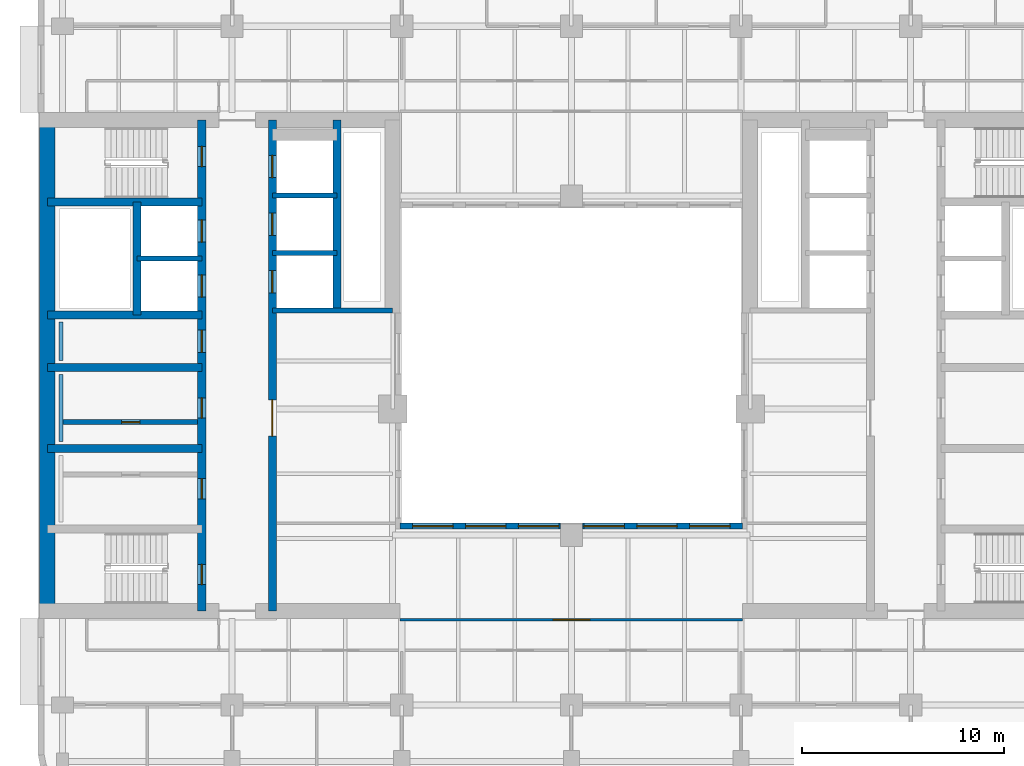
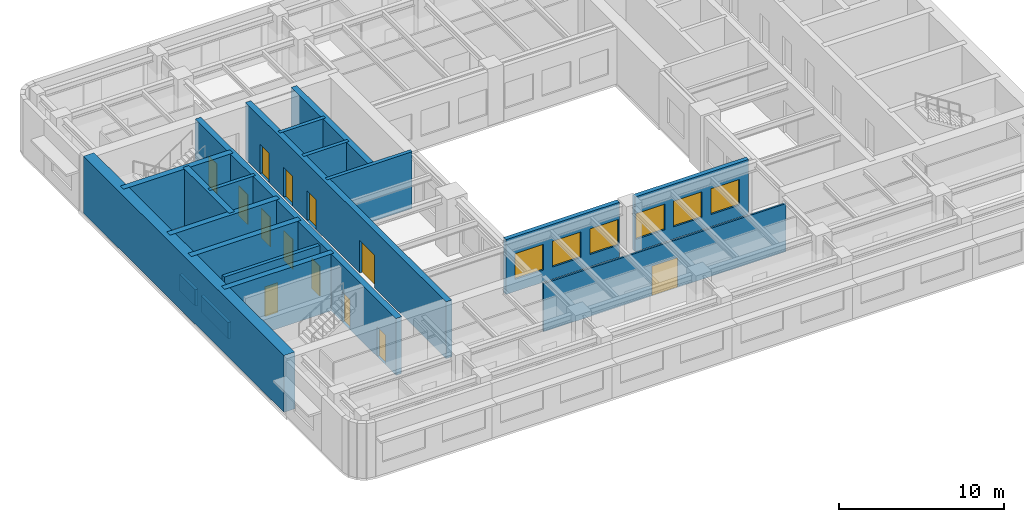
# One storey, part 4 of 11: 19 walls, 13 doors, 6 windows, 19 openings.
"""IFC4 building model written with IfcOpenShell, lengths in metres."""

import ifcopenshell
import ifcopenshell.guid

model = None  # the IFC model being written
_history = None  # IfcOwnerHistory: only IFC2X3 demands one
_inside = {}  # id of a spatial element -> (the spatial element, [elements in it])
_under = {}  # id of a project, library or spatial element -> (it, [spatial elements below it])
_declared = {}  # id of a project -> (the project, [libraries it declares])
_typed = {}  # id of a type object -> (the type object, [elements of that type])
_made_of = {}  # id of a material, layer set ... -> (it, [elements and type objects made of it])


def new_model(schema):
    """Start an empty IFC model of exactly this schema.

    Asked for "IFC4X3", IfcOpenShell would pick the latest addendum, in which some entities
    have other attributes; the version numbers below select the first issue.
    IFC2X3 requires an IfcOwnerHistory on every rooted entity: one is made here for all.
    """
    global model, _history
    if schema == "IFC4X3":
        model = ifcopenshell.file(schema_version=(4, 3, 0, 0))
    else:
        model = ifcopenshell.file(schema=schema)
    _inside.clear()
    _under.clear()
    _declared.clear()
    _typed.clear()
    _made_of.clear()
    _history = None
    if model.schema == "IFC2X3":
        org = make("IfcOrganization", Name="unknown")
        user = make(
            "IfcPersonAndOrganization",
            ThePerson=make("IfcPerson", FamilyName="unknown"),
            TheOrganization=org,
        )
        app = make(
            "IfcApplication",
            ApplicationDeveloper=org,
            Version="unknown",
            ApplicationFullName="unknown",
            ApplicationIdentifier="unknown",
        )
        _history = make(
            "IfcOwnerHistory",
            OwningUser=user,
            OwningApplication=app,
            ChangeAction="ADDED",
            CreationDate=0,
        )
    return model


def make(cls, **values):
    """One entity of the class cls with the attributes given. An attribute that is None is left unset."""
    return model.create_entity(
        cls, **{name: value for name, value in values.items() if value is not None}
    )


def rooted(cls, **values):
    """An entity with a GlobalId (a new one), such as an element, a storey or a relation."""
    return make(cls, GlobalId=ifcopenshell.guid.new(), OwnerHistory=_history, **values)


def si_unit(unit_type, name, prefix=None):
    """IfcSIUnit, for example si_unit("LENGTHUNIT", "METRE", prefix="MILLI")."""
    return make("IfcSIUnit", UnitType=unit_type, Prefix=prefix, Name=name)


def assignment(units):
    """IfcUnitAssignment: the units of a project."""
    return None if units is None else make("IfcUnitAssignment", Units=units)


def point(xyz):
    """IfcCartesianPoint."""
    return None if xyz is None else make("IfcCartesianPoint", Coordinates=xyz)


def direction(xyz):
    """IfcDirection."""
    return None if xyz is None else make("IfcDirection", DirectionRatios=xyz)


def frame(location, z_axis=None, x_axis=None):
    """IfcAxis2Placement3D, a coordinate frame: its origin and axes. An axis left out is left unset."""
    return make(
        "IfcAxis2Placement3D",
        Location=point(location),
        Axis=direction(z_axis),
        RefDirection=direction(x_axis),
    )


def frame_2d(location, x_axis=None):
    """IfcAxis2Placement2D, a coordinate frame in the plane: its origin and x axis."""
    return make(
        "IfcAxis2Placement2D", Location=point(location), RefDirection=direction(x_axis)
    )


def origin():
    """The frame at (0, 0, 0) with its axes left unset."""
    return frame((0.0, 0.0, 0.0))


def place(relative_to, where):
    """IfcLocalPlacement: puts the frame where relative to a parent placement (None: the world)."""
    return make(
        "IfcLocalPlacement", PlacementRelTo=relative_to, RelativePlacement=where
    )


def context(
    kind, dimensions, precision=None, world=None, true_north=None, identifier=None
):
    """IfcGeometricRepresentationContext, for example the 3D "Model" context."""
    return make(
        "IfcGeometricRepresentationContext",
        ContextIdentifier=identifier,
        ContextType=kind,
        CoordinateSpaceDimension=dimensions,
        Precision=precision,
        WorldCoordinateSystem=world,
        TrueNorth=true_north,
    )


def subcontext(parent, identifier, kind, view, scale=None):
    """IfcGeometricRepresentationSubContext, for example "Body" below "Model"."""
    return make(
        "IfcGeometricRepresentationSubContext",
        ContextIdentifier=identifier,
        ContextType=kind,
        ParentContext=parent,
        TargetScale=scale,
        TargetView=view,
    )


def project(units=None, contexts=None):
    """IfcProject with its units and contexts."""
    return rooted(
        "IfcProject",
        Name="project",
        RepresentationContexts=contexts,
        UnitsInContext=assignment(units),
    )


def spatial(cls, under=None, at=None, **own):
    """A site, building, storey or space (cls), placed at a placement, below another one or the project."""
    s = rooted(cls, ObjectPlacement=at, **own)
    if under is not None:
        _under.setdefault(under.id(), (under, []))[1].append(s)
    return s


def profile(cls, at=None, kind="AREA", **sizes):
    """A parametric profile (cls). Its sizes go by their IFC names, for example OverallWidth=200.0."""
    return make(cls, ProfileType=kind, Position=at, **sizes)


def rectangle(**sizes):
    """IfcRectangleProfileDef."""
    return profile("IfcRectangleProfileDef", **sizes)


def extrude(swept, where, along, depth):
    """IfcExtrudedAreaSolid: the profile swept, set in the frame where, extruded along a direction by depth."""
    return make(
        "IfcExtrudedAreaSolid",
        SweptArea=swept,
        Position=where,
        ExtrudedDirection=direction(along),
        Depth=depth,
    )


def shape(context_of_items, identifier, shape_type, items):
    """IfcShapeRepresentation: the items that make up one representation, for example the "Body"."""
    return make(
        "IfcShapeRepresentation",
        ContextOfItems=context_of_items,
        RepresentationIdentifier=identifier,
        RepresentationType=shape_type,
        Items=items,
    )


def material(Name=None, Category=None):
    """IfcMaterial."""
    return make("IfcMaterial", Name=Name, Category=Category)


def layer(
    of_material, thickness, ventilated=None, Name=None, Category=None, Priority=None
):
    """IfcMaterialLayer: one layer of a wall or slab, of a material (None: an air gap)."""
    return make(
        "IfcMaterialLayer",
        Material=of_material,
        LayerThickness=thickness,
        IsVentilated=ventilated,
        Name=Name,
        Category=Category,
        Priority=Priority,
    )


def layer_set(layers, Name=None):
    """IfcMaterialLayerSet."""
    return make("IfcMaterialLayerSet", MaterialLayers=layers, LayerSetName=Name)


def made_of(thing, what):
    """Note that an element or type object is made of a material, layer set ...; save() writes the relation."""
    if what is not None:
        _made_of.setdefault(what.id(), (what, []))[1].append(thing)
    return thing


def type_object(cls, material=None, **own):
    """A type object (cls), such as IfcWallType, which elements share."""
    return made_of(rooted(cls, **own), material)


def element(
    cls,
    number,
    at=None,
    inside=None,
    cuts=None,
    type_object=None,
    material=None,
    context=None,
    identifier="Body",
    shape_type=None,
    held_by="IfcProductDefinitionShape",
    body=None,
    shapes=None,
    **own,
):
    """One element of the class cls, such as IfcWall. Its Tag is "e" and its number.

    at: its placement. inside: the storey or other place that contains it. cuts: it is an
    opening in that element (IfcRelVoidsElement). A single representation is given by context,
    identifier, shape_type and body (its items); several are given by shapes. held_by: the class
    of the entity that holds the representations. save() writes the other relations.
    """
    e = rooted(cls, Tag="e%d" % number, ObjectPlacement=at, **own)
    if body is not None:
        shapes = [shape(context, identifier, shape_type, body)]
    if shapes is not None:
        e.Representation = make(held_by, Representations=shapes)
    if inside is not None:
        _inside.setdefault(inside.id(), (inside, []))[1].append(e)
    if cuts is not None:
        rooted(
            "IfcRelVoidsElement", RelatingBuildingElement=cuts, RelatedOpeningElement=e
        )
    if type_object is not None:
        _typed.setdefault(type_object.id(), (type_object, []))[1].append(e)
    return made_of(e, material)


def fill(opening, filler):
    """IfcRelFillsElement: the door or window that sits in an opening."""
    return rooted(
        "IfcRelFillsElement",
        RelatingOpeningElement=opening,
        RelatedBuildingElement=filler,
    )


def aggregate(whole, parts):
    """IfcRelAggregates: a whole, such as a stair, and the parts it consists of."""
    return rooted("IfcRelAggregates", RelatingObject=whole, RelatedObjects=parts)


def save(model, path):
    """Write the relations noted so far, then the file.

    IfcRelAggregates (storeys below a building ...), IfcRelContainedInSpatialStructure (elements
    in a storey), IfcRelDefinesByType, IfcRelAssociatesMaterial and IfcRelDeclares: one each for
    every whole, place, type object, material and project.
    """
    for whole, parts in _under.values():
        aggregate(whole, parts)
    for where, things in _inside.values():
        rooted(
            "IfcRelContainedInSpatialStructure",
            RelatedElements=things,
            RelatingStructure=where,
        )
    for kind, things in _typed.values():
        rooted("IfcRelDefinesByType", RelatedObjects=things, RelatingType=kind)
    for what, things in _made_of.values():
        rooted("IfcRelAssociatesMaterial", RelatedObjects=things, RelatingMaterial=what)
    for by, libraries in _declared.values():
        rooted("IfcRelDeclares", RelatingContext=by, RelatedDefinitions=libraries)
    model.write(path)


model = new_model("IFC4")

# Units and contexts
model_context = context("Model", 3, precision=1e-05, world=origin(), true_north=direction((0.0, 1.0)))
body_context = subcontext(model_context, "Body", "Model", "MODEL_VIEW")
ifc_project = project(units=[si_unit("LENGTHUNIT", "METRE"), si_unit("AREAUNIT", "SQUARE_METRE"), si_unit("VOLUMEUNIT", "CUBIC_METRE"), si_unit("PLANEANGLEUNIT", "RADIAN"), si_unit("MASSUNIT", "GRAM", prefix="KILO")], contexts=[model_context])

# Site, building, storey
site_placement = place(None, origin())
site = spatial("IfcSite", under=ifc_project, at=site_placement, CompositionType="ELEMENT")
building_placement = place(site_placement, origin())
building = spatial("IfcBuilding", under=site, at=building_placement, Name="Claustro Exchange Tower", CompositionType="ELEMENT")
storey_placement = place(building_placement, frame((0.0, 0.0, 207.0)))
storey = spatial("IfcBuildingStorey", under=building, at=storey_placement, Name="L47", CompositionType="ELEMENT", Elevation=207.0)

# Wall, opening, door
ifc_material_1 = material(Name="Laminated glass in aluminium frame", Category="aluminium")
ifc_layer_1 = layer(ifc_material_1, 0.1201171875)
ifc_layer_set_1 = layer_set([ifc_layer_1], Name="Laminated glass in aluminium frame")
wall_type_1 = type_object("IfcWallType", Name="P2 120 glazed partition", PredefinedType="PARTITIONING", material=ifc_layer_set_1)
wall_1_placement = place(storey_placement, frame((16.72509765625, 12.614990234375, 0.0), z_axis=(0.0, 0.0, 1.0), x_axis=(1.0, 0.0, 0.0)))
wall_1 = element("IfcWall", 1, at=wall_1_placement, inside=storey, type_object=wall_type_1, Name="Partition P2 L47", PredefinedType="PARTITIONING", context=body_context, shape_type="SweptSolid", body=[
    extrude(rectangle(XDim=16.949951171875, YDim=0.1201171875, at=frame_2d((8.47509765625, 0.0))), origin(), (0.0, 0.0, 1.0), 3.550048828125),
])
opening_1_placement = place(wall_1_placement, frame((7.574951171875, 0.0, 0.0)))
opening_1 = element("IfcOpeningElement", 2, at=opening_1_placement, cuts=wall_1, Name="Opening D2", PredefinedType="OPENING", context=body_context, shape_type="SweptSolid", body=[
    extrude(rectangle(XDim=1.800048828125, YDim=2.199951171875, at=frame_2d((0.89990234375, 1.10009765625))), frame((0.0, 0.070068359375, 0.0), z_axis=(0.0, -1.0, 0.0), x_axis=(1.0, 0.0, 0.0)), (0.0, 0.0, 1.0), 0.14013671875),
])
ifc_material_2 = material(Name="Timber door, oak veneer", Category="wood")
door_type_1 = type_object("IfcDoorType", Name="D2 1800 x 2200 double door", OperationType="DOUBLE_DOOR_SINGLE_SWING", PredefinedType="DOOR", material=ifc_material_2)
door_1_placement = place(opening_1_placement, origin())
door_1 = element("IfcDoor", 3, at=door_1_placement, inside=storey, type_object=door_type_1, Name="Double door D2 L47", OperationType="DOUBLE_DOOR_SINGLE_SWING", OverallHeight=2.199951171875, OverallWidth=1.800048828125, PredefinedType="DOOR", context=body_context, shape_type="SweptSolid", body=[
    extrude(rectangle(XDim=1.800048828125, YDim=2.199951171875, at=frame_2d((0.89990234375, 1.10009765625))), frame((0.0, 0.02490234375, 0.0), z_axis=(0.0, -1.0, 0.0), x_axis=(1.0, 0.0, 0.0)), (0.0, 0.0, 1.0), 0.050048828125),
])
fill(opening_1, door_1)

ifc_material_3 = material(Name="Concrete blockwork, rendered", Category="masonry")
ifc_layer_2 = layer(ifc_material_3, 0.25)
ifc_layer_set_2 = layer_set([ifc_layer_2], Name="Concrete blockwork, rendered")
wall_type_2 = type_object("IfcWallType", Name="P4 250 blockwork wall", PredefinedType="PARTITIONING", material=ifc_layer_set_2)
wall_2_placement = place(storey_placement, frame((0.02490234375, 22.39990234375, 0.0), z_axis=(0.0, 0.0, 1.0), x_axis=(1.0, 0.0, 0.0)))
wall_2 = element("IfcWall", 4, at=wall_2_placement, inside=storey, type_object=wall_type_2, Name="Partition P4 L47", PredefinedType="PARTITIONING", context=body_context, shape_type="SweptSolid", body=[
    extrude(rectangle(XDim=6.675048828125, YDim=0.25, at=frame_2d((3.33740234375, 0.0))), origin(), (0.0, 0.0, 1.0), 4.0),
])
opening_2_placement = place(wall_2_placement, frame((2.91259765625, 0.0, 0.0)))
opening_2 = element("IfcOpeningElement", 5, at=opening_2_placement, cuts=wall_2, Name="Opening D5", PredefinedType="OPENING", context=body_context, shape_type="SweptSolid", body=[
    extrude(rectangle(XDim=0.89990234375, YDim=2.199951171875, at=frame_2d((0.449951171875, 1.10009765625))), frame((0.0, 0.135009765625, 0.0), z_axis=(0.0, -1.0, 0.0), x_axis=(1.0, 0.0, 0.0)), (0.0, 0.0, 1.0), 0.27001953125),
])
ifc_material_4 = material(Name="Steel door, painted", Category="steel")
door_type_2 = type_object("IfcDoorType", Name="D5 900 x 2200 store door", OperationType="SINGLE_SWING_LEFT", PredefinedType="DOOR", material=ifc_material_4)
door_2_placement = place(opening_2_placement, frame((0.89990234375, 0.0, 0.0), z_axis=(0.0, 0.0, 1.0), x_axis=(-1.0, 0.0, 0.0)))
door_2 = element("IfcDoor", 6, at=door_2_placement, inside=storey, type_object=door_type_2, Name="Store door D5 L47", OperationType="SINGLE_SWING_LEFT", OverallHeight=2.199951171875, OverallWidth=0.89990234375, PredefinedType="DOOR", context=body_context, shape_type="SweptSolid", body=[
    extrude(rectangle(XDim=0.89990234375, YDim=2.199951171875, at=frame_2d((0.449951171875, 1.10009765625))), frame((0.0, 0.02490234375, 0.0), z_axis=(0.0, -1.0, 0.0), x_axis=(1.0, 0.0, 0.0)), (0.0, 0.0, 1.0), 0.050048828125),
])
fill(opening_2, door_2)

# Wall, openings, windows
ifc_material_5 = material(Name="Concrete HA-40 (C40/50), precast, white cement, acid-etched", Category="concrete")
ifc_layer_3 = layer(ifc_material_5, 0.300048828125)
ifc_layer_set_3 = layer_set([ifc_layer_3], Name="Concrete HA-40 (C40/50), precast, white cement, acid-etched")
wall_type_3 = type_object("IfcWallType", Name="PC1 300 precast concrete pier panel", PredefinedType="SOLIDWALL", material=ifc_layer_set_3)
wall_3_placement = place(storey_placement, frame((16.72509765625, 17.25, 0.0), z_axis=(0.0, 0.0, 1.0), x_axis=(1.0, 0.0, 0.0)))
wall_3 = element("IfcWall", 7, at=wall_3_placement, inside=storey, type_object=wall_type_3, Name="Precast pier panel PC1 L47", PredefinedType="SOLIDWALL", context=body_context, shape_type="SweptSolid", body=[
    extrude(rectangle(XDim=7.9248046875, YDim=0.300048828125, at=frame_2d((3.96240234375, 0.0))), origin(), (0.0, 0.0, 1.0), 4.050048828125),
])
opening_3_placement = place(wall_3_placement, frame((0.61865234375, 0.0, 0.89990234375)))
opening_3 = element("IfcOpeningElement", 8, at=opening_3_placement, cuts=wall_3, Name="Opening W4", PredefinedType="OPENING", context=body_context, shape_type="SweptSolid", body=[
    extrude(rectangle(XDim=2.0, YDim=1.89990234375, at=frame_2d((1.0, 0.949951171875))), frame((0.0, 0.159912109375, 0.0), z_axis=(0.0, -1.0, 0.0), x_axis=(1.0, 0.0, 0.0)), (0.0, 0.0, 1.0), 0.320068359375),
])
opening_4_placement = place(wall_3_placement, frame((3.237548828125, 0.0, 0.89990234375)))
opening_4 = element("IfcOpeningElement", 9, at=opening_4_placement, cuts=wall_3, Name="Opening W4", PredefinedType="OPENING", context=body_context, shape_type="SweptSolid", body=[
    extrude(rectangle(XDim=2.0, YDim=1.89990234375, at=frame_2d((1.0, 0.949951171875))), frame((0.0, 0.159912109375, 0.0), z_axis=(0.0, -1.0, 0.0), x_axis=(1.0, 0.0, 0.0)), (0.0, 0.0, 1.0), 0.320068359375),
])
opening_5_placement = place(wall_3_placement, frame((5.856201171875, 0.0, 0.89990234375)))
opening_5 = element("IfcOpeningElement", 10, at=opening_5_placement, cuts=wall_3, Name="Opening W4", PredefinedType="OPENING", context=body_context, shape_type="SweptSolid", body=[
    extrude(rectangle(XDim=2.0, YDim=1.89990234375, at=frame_2d((1.0, 0.949951171875))), frame((0.0, 0.159912109375, 0.0), z_axis=(0.0, -1.0, 0.0), x_axis=(1.0, 0.0, 0.0)), (0.0, 0.0, 1.0), 0.320068359375),
])
ifc_material_6 = material(Name="Aluminium frame, clear double glazing", Category="aluminium")
window_type = type_object("IfcWindowType", Name="W4 2000 x 1900 light well window", PartitioningType="SINGLE_PANEL", PredefinedType="WINDOW", material=ifc_material_6)
window_1_placement = place(opening_3_placement, origin())
window_1 = element("IfcWindow", 11, at=window_1_placement, inside=storey, type_object=window_type, Name="Window W4 L47", OverallHeight=1.89990234375, OverallWidth=2.0, PartitioningType="SINGLE_PANEL", PredefinedType="WINDOW", context=body_context, shape_type="SweptSolid", body=[
    extrude(rectangle(XDim=2.0, YDim=1.89990234375, at=frame_2d((1.0, 0.949951171875))), frame((0.0, 0.030029296875, 0.0), z_axis=(0.0, -1.0, 0.0), x_axis=(1.0, 0.0, 0.0)), (0.0, 0.0, 1.0), 0.06005859375),
])
fill(opening_3, window_1)
window_2_placement = place(opening_4_placement, origin())
window_2 = element("IfcWindow", 12, at=window_2_placement, inside=storey, type_object=window_type, Name="Window W4 L47", OverallHeight=1.89990234375, OverallWidth=2.0, PartitioningType="SINGLE_PANEL", PredefinedType="WINDOW", context=body_context, shape_type="SweptSolid", body=[
    extrude(rectangle(XDim=2.0, YDim=1.89990234375, at=frame_2d((1.0, 0.949951171875))), frame((0.0, 0.030029296875, 0.0), z_axis=(0.0, -1.0, 0.0), x_axis=(1.0, 0.0, 0.0)), (0.0, 0.0, 1.0), 0.06005859375),
])
fill(opening_4, window_2)
window_3_placement = place(opening_5_placement, origin())
window_3 = element("IfcWindow", 13, at=window_3_placement, inside=storey, type_object=window_type, Name="Window W4 L47", OverallHeight=1.89990234375, OverallWidth=2.0, PartitioningType="SINGLE_PANEL", PredefinedType="WINDOW", context=body_context, shape_type="SweptSolid", body=[
    extrude(rectangle(XDim=2.0, YDim=1.89990234375, at=frame_2d((1.0, 0.949951171875))), frame((0.0, 0.030029296875, 0.0), z_axis=(0.0, -1.0, 0.0), x_axis=(1.0, 0.0, 0.0)), (0.0, 0.0, 1.0), 0.06005859375),
])
fill(opening_5, window_3)

wall_4_placement = place(storey_placement, frame((25.75, 17.25, 0.0), z_axis=(0.0, 0.0, 1.0), x_axis=(1.0, 0.0, 0.0)))
wall_4 = element("IfcWall", 14, at=wall_4_placement, inside=storey, type_object=wall_type_3, Name="Precast pier panel PC1 L47", PredefinedType="SOLIDWALL", context=body_context, shape_type="SweptSolid", body=[
    extrude(rectangle(XDim=7.925048828125, YDim=0.300048828125, at=frame_2d((3.96240234375, 0.0))), origin(), (0.0, 0.0, 1.0), 4.050048828125),
])
opening_6_placement = place(wall_4_placement, frame((0.068603515625, 0.0, 0.89990234375)))
opening_6 = element("IfcOpeningElement", 15, at=opening_6_placement, cuts=wall_4, Name="Opening W4", PredefinedType="OPENING", context=body_context, shape_type="SweptSolid", body=[
    extrude(rectangle(XDim=2.0, YDim=1.89990234375, at=frame_2d((1.0, 0.949951171875))), frame((0.0, 0.159912109375, 0.0), z_axis=(0.0, -1.0, 0.0), x_axis=(1.0, 0.0, 0.0)), (0.0, 0.0, 1.0), 0.320068359375),
])
opening_7_placement = place(wall_4_placement, frame((2.6875, 0.0, 0.89990234375)))
opening_7 = element("IfcOpeningElement", 16, at=opening_7_placement, cuts=wall_4, Name="Opening W4", PredefinedType="OPENING", context=body_context, shape_type="SweptSolid", body=[
    extrude(rectangle(XDim=2.0, YDim=1.89990234375, at=frame_2d((1.0, 0.949951171875))), frame((0.0, 0.159912109375, 0.0), z_axis=(0.0, -1.0, 0.0), x_axis=(1.0, 0.0, 0.0)), (0.0, 0.0, 1.0), 0.320068359375),
])
opening_8_placement = place(wall_4_placement, frame((5.30615234375, 0.0, 0.89990234375)))
opening_8 = element("IfcOpeningElement", 17, at=opening_8_placement, cuts=wall_4, Name="Opening W4", PredefinedType="OPENING", context=body_context, shape_type="SweptSolid", body=[
    extrude(rectangle(XDim=2.0, YDim=1.89990234375, at=frame_2d((1.0, 0.949951171875))), frame((0.0, 0.159912109375, 0.0), z_axis=(0.0, -1.0, 0.0), x_axis=(1.0, 0.0, 0.0)), (0.0, 0.0, 1.0), 0.320068359375),
])
window_4_placement = place(opening_6_placement, origin())
window_4 = element("IfcWindow", 18, at=window_4_placement, inside=storey, type_object=window_type, Name="Window W4 L47", OverallHeight=1.89990234375, OverallWidth=2.0, PartitioningType="SINGLE_PANEL", PredefinedType="WINDOW", context=body_context, shape_type="SweptSolid", body=[
    extrude(rectangle(XDim=2.0, YDim=1.89990234375, at=frame_2d((1.0, 0.949951171875))), frame((0.0, 0.030029296875, 0.0), z_axis=(0.0, -1.0, 0.0), x_axis=(1.0, 0.0, 0.0)), (0.0, 0.0, 1.0), 0.06005859375),
])
fill(opening_6, window_4)
window_5_placement = place(opening_7_placement, origin())
window_5 = element("IfcWindow", 19, at=window_5_placement, inside=storey, type_object=window_type, Name="Window W4 L47", OverallHeight=1.89990234375, OverallWidth=2.0, PartitioningType="SINGLE_PANEL", PredefinedType="WINDOW", context=body_context, shape_type="SweptSolid", body=[
    extrude(rectangle(XDim=2.0, YDim=1.89990234375, at=frame_2d((1.0, 0.949951171875))), frame((0.0, 0.030029296875, 0.0), z_axis=(0.0, -1.0, 0.0), x_axis=(1.0, 0.0, 0.0)), (0.0, 0.0, 1.0), 0.06005859375),
])
fill(opening_7, window_5)
window_6_placement = place(opening_8_placement, origin())
window_6 = element("IfcWindow", 20, at=window_6_placement, inside=storey, type_object=window_type, Name="Window W4 L47", OverallHeight=1.89990234375, OverallWidth=2.0, PartitioningType="SINGLE_PANEL", PredefinedType="WINDOW", context=body_context, shape_type="SweptSolid", body=[
    extrude(rectangle(XDim=2.0, YDim=1.89990234375, at=frame_2d((1.0, 0.949951171875))), frame((0.0, 0.030029296875, 0.0), z_axis=(0.0, -1.0, 0.0), x_axis=(1.0, 0.0, 0.0)), (0.0, 0.0, 1.0), 0.06005859375),
])
fill(opening_8, window_6)

# Walls
ifc_material_7 = material(Name="Gypsum board on steel studs, tiled", Category="steel")
ifc_layer_4 = layer(ifc_material_7, 0.199951171875)
ifc_layer_set_4 = layer_set([ifc_layer_4], Name="Gypsum board on steel studs, tiled")
wall_type_4 = type_object("IfcWallType", Name="PW1 200 WC duct wall", PredefinedType="PLUMBINGWALL", material=ifc_layer_set_4)
wall_5_placement = place(storey_placement, frame((-0.074951171875, 21.449951171875, 0.0), z_axis=(0.0, 0.0, 1.0), x_axis=(0.0, 1.0, 0.0)))
element("IfcWall", 21, at=wall_5_placement, inside=storey, type_object=wall_type_4, Name="WC duct wall PW1 L47", PredefinedType="PLUMBINGWALL", context=body_context, shape_type="SweptSolid", body=[
    extrude(rectangle(XDim=3.300048828125, YDim=0.199951171875, at=frame_2d((1.64990234375, 0.0))), origin(), (0.0, 0.0, 1.0), 1.199951171875),
])
wall_6_placement = place(storey_placement, frame((-0.074951171875, 25.449951171875, 0.0), z_axis=(0.0, 0.0, 1.0), x_axis=(0.0, 1.0, 0.0)))
element("IfcWall", 22, at=wall_6_placement, inside=storey, type_object=wall_type_4, Name="WC duct wall PW1 L47", PredefinedType="PLUMBINGWALL", context=body_context, shape_type="SweptSolid", body=[
    extrude(rectangle(XDim=1.900146484375, YDim=0.199951171875, at=frame_2d((0.9501953125, 0.0))), origin(), (0.0, 0.0, 1.0), 1.199951171875),
])
ifc_material_8 = material(Name="Concrete HA-70 (C70/85)", Category="concrete")
ifc_layer_5 = layer(ifc_material_8, 0.75)
ifc_layer_set_5 = layer_set([ifc_layer_5], Name="Concrete HA-70 (C70/85)")
wall_type_5 = type_object("IfcWallType", Name="SW2X 750 exposed core shear wall, board-marked face", PredefinedType="SHEAR", material=ifc_layer_set_5)
wall_7_placement = place(storey_placement, frame((-0.75, 13.050048828125, 0.0), z_axis=(0.0, 0.0, 1.0), x_axis=(0.0, 1.0, 0.0)))
element("IfcWall", 23, at=wall_7_placement, inside=storey, type_object=wall_type_5, Name="Core wall SW2X W core W face L47", PredefinedType="SHEAR", context=body_context, shape_type="SweptSolid", body=[
    extrude(rectangle(XDim=24.300048828125, YDim=0.75, at=frame_2d((12.14990234375, 0.0))), origin(), (0.0, 0.0, 1.0), 4.199951171875),
])

# Wall, openings, doors
ifc_material_9 = material(Name="Concrete HA-50 (C50/60)", Category="concrete")
ifc_layer_6 = layer(ifc_material_9, 0.39990234375)
ifc_layer_set_6 = layer_set([ifc_layer_6], Name="Concrete HA-50 (C50/60)")
wall_type_6 = type_object("IfcWallType", Name="SW4 400 internal core wall", PredefinedType="SHEAR", material=ifc_layer_set_6)
wall_8_placement = place(storey_placement, frame((6.89990234375, 13.050048828125, 0.0), z_axis=(0.0, 0.0, 1.0), x_axis=(0.0, 1.0, 0.0)))
wall_8 = element("IfcWall", 24, at=wall_8_placement, inside=storey, type_object=wall_type_6, Name="Internal core wall SW4 W core L47", PredefinedType="SHEAR", context=body_context, shape_type="SweptSolid", body=[
    extrude(rectangle(XDim=24.300048828125, YDim=0.39990234375, at=frame_2d((12.14990234375, 0.0))), origin(), (0.0, 0.0, 1.0), 4.199951171875),
])
opening_9_placement = place(wall_8_placement, frame((1.300048828125, 0.0, 0.0)))
opening_9 = element("IfcOpeningElement", 25, at=opening_9_placement, cuts=wall_8, Name="Opening D4", PredefinedType="OPENING", context=body_context, shape_type="SweptSolid", body=[
    extrude(rectangle(XDim=1.0, YDim=2.199951171875, at=frame_2d((0.5, 1.10009765625))), frame((0.0, 0.2099609375, 0.0), z_axis=(0.0, -1.0, 0.0), x_axis=(1.0, 0.0, 0.0)), (0.0, 0.0, 1.0), 0.419921875),
])
opening_10_placement = place(wall_8_placement, frame((22.0, 0.0, 0.0)))
opening_10 = element("IfcOpeningElement", 26, at=opening_10_placement, cuts=wall_8, Name="Opening D4", PredefinedType="OPENING", context=body_context, shape_type="SweptSolid", body=[
    extrude(rectangle(XDim=1.0, YDim=2.199951171875, at=frame_2d((0.5, 1.10009765625))), frame((0.0, 0.2099609375, 0.0), z_axis=(0.0, -1.0, 0.0), x_axis=(1.0, 0.0, 0.0)), (0.0, 0.0, 1.0), 0.419921875),
])
opening_11_placement = place(wall_8_placement, frame((5.550048828125, 0.0, 0.0)))
opening_11 = element("IfcOpeningElement", 27, at=opening_11_placement, cuts=wall_8, Name="Opening D1", PredefinedType="OPENING", context=body_context, shape_type="SweptSolid", body=[
    extrude(rectangle(XDim=1.0, YDim=2.199951171875, at=frame_2d((0.5, 1.10009765625))), frame((0.0, 0.2099609375, 0.0), z_axis=(0.0, -1.0, 0.0), x_axis=(1.0, 0.0, 0.0)), (0.0, 0.0, 1.0), 0.419921875),
])
opening_12_placement = place(wall_8_placement, frame((9.550048828125, 0.0, 0.0)))
opening_12 = element("IfcOpeningElement", 28, at=opening_12_placement, cuts=wall_8, Name="Opening D1", PredefinedType="OPENING", context=body_context, shape_type="SweptSolid", body=[
    extrude(rectangle(XDim=1.0, YDim=2.199951171875, at=frame_2d((0.5, 1.10009765625))), frame((0.0, 0.2099609375, 0.0), z_axis=(0.0, -1.0, 0.0), x_axis=(1.0, 0.0, 0.0)), (0.0, 0.0, 1.0), 0.419921875),
])
opening_13_placement = place(wall_8_placement, frame((12.800048828125, 0.0, 0.0)))
opening_13 = element("IfcOpeningElement", 29, at=opening_13_placement, cuts=wall_8, Name="Opening D10", PredefinedType="OPENING", context=body_context, shape_type="SweptSolid", body=[
    extrude(rectangle(XDim=1.10009765625, YDim=2.199951171875, at=frame_2d((0.550048828125, 1.10009765625))), frame((0.0, 0.2099609375, 0.0), z_axis=(0.0, -1.0, 0.0), x_axis=(1.0, 0.0, 0.0)), (0.0, 0.0, 1.0), 0.419921875),
])
opening_14_placement = place(wall_8_placement, frame((15.53759765625, 0.0, 0.0)))
opening_14 = element("IfcOpeningElement", 30, at=opening_14_placement, cuts=wall_8, Name="Opening LD", PredefinedType="OPENING", context=body_context, shape_type="SweptSolid", body=[
    extrude(rectangle(XDim=1.10009765625, YDim=2.199951171875, at=frame_2d((0.550048828125, 1.10009765625))), frame((0.0, 0.2099609375, 0.0), z_axis=(0.0, -1.0, 0.0), x_axis=(1.0, 0.0, 0.0)), (0.0, 0.0, 1.0), 0.419921875),
])
opening_15_placement = place(wall_8_placement, frame((18.262451171875, 0.0, 0.0)))
opening_15 = element("IfcOpeningElement", 31, at=opening_15_placement, cuts=wall_8, Name="Opening LD", PredefinedType="OPENING", context=body_context, shape_type="SweptSolid", body=[
    extrude(rectangle(XDim=1.10009765625, YDim=2.199951171875, at=frame_2d((0.550048828125, 1.10009765625))), frame((0.0, 0.2099609375, 0.0), z_axis=(0.0, -1.0, 0.0), x_axis=(1.0, 0.0, 0.0)), (0.0, 0.0, 1.0), 0.419921875),
])
ifc_material_10 = material(Name="Timber door, oak veneer", Category="wood")
door_type_3 = type_object("IfcDoorType", Name="D1 1000 x 2200 single door", OperationType="SINGLE_SWING_LEFT", PredefinedType="DOOR", material=ifc_material_10)
door_3_placement = place(opening_11_placement, origin())
door_3 = element("IfcDoor", 32, at=door_3_placement, inside=storey, type_object=door_type_3, Name="Door D1 L47", OperationType="SINGLE_SWING_RIGHT", OverallHeight=2.199951171875, OverallWidth=1.0, PredefinedType="DOOR", context=body_context, shape_type="SweptSolid", body=[
    extrude(rectangle(XDim=1.0, YDim=2.199951171875, at=frame_2d((0.5, 1.10009765625))), frame((0.0, 0.02490234375, 0.0), z_axis=(0.0, -1.0, 0.0), x_axis=(1.0, 0.0, 0.0)), (0.0, 0.0, 1.0), 0.050048828125),
])
fill(opening_11, door_3)
door_4_placement = place(opening_12_placement, origin())
door_4 = element("IfcDoor", 33, at=door_4_placement, inside=storey, type_object=door_type_3, Name="Door D1 L47", OperationType="SINGLE_SWING_LEFT", OverallHeight=2.199951171875, OverallWidth=1.0, PredefinedType="DOOR", context=body_context, shape_type="SweptSolid", body=[
    extrude(rectangle(XDim=1.0, YDim=2.199951171875, at=frame_2d((0.5, 1.10009765625))), frame((0.0, 0.02490234375, 0.0), z_axis=(0.0, -1.0, 0.0), x_axis=(1.0, 0.0, 0.0)), (0.0, 0.0, 1.0), 0.050048828125),
])
fill(opening_12, door_4)
ifc_material_11 = material(Name="Timber door, oak veneer", Category="wood")
door_type_4 = type_object("IfcDoorType", Name="D10 1100 x 2200 accessible WC door", OperationType="SINGLE_SWING_LEFT", PredefinedType="DOOR", material=ifc_material_11)
door_5_placement = place(opening_13_placement, frame((1.10009765625, 0.0, 0.0), z_axis=(0.0, 0.0, 1.0), x_axis=(-1.0, 0.0, 0.0)))
door_5 = element("IfcDoor", 34, at=door_5_placement, inside=storey, type_object=door_type_4, Name="Accessible WC door D10 L47", OperationType="SINGLE_SWING_LEFT", OverallHeight=2.199951171875, OverallWidth=1.10009765625, PredefinedType="DOOR", context=body_context, shape_type="SweptSolid", body=[
    extrude(rectangle(XDim=1.10009765625, YDim=2.199951171875, at=frame_2d((0.550048828125, 1.10009765625))), frame((0.0, 0.02490234375, 0.0), z_axis=(0.0, -1.0, 0.0), x_axis=(1.0, 0.0, 0.0)), (0.0, 0.0, 1.0), 0.050048828125),
])
fill(opening_13, door_5)
ifc_material_12 = material(Name="Steel fire door, painted", Category="steel")
door_type_5 = type_object("IfcDoorType", Name="D4 1000 x 2200 fire-rated stair door", OperationType="SINGLE_SWING_LEFT", PredefinedType="DOOR", material=ifc_material_12)
door_6_placement = place(opening_9_placement, origin())
door_6 = element("IfcDoor", 35, at=door_6_placement, inside=storey, type_object=door_type_5, Name="Stair door D4 L47", OperationType="SINGLE_SWING_LEFT", OverallHeight=2.199951171875, OverallWidth=1.0, PredefinedType="DOOR", context=body_context, shape_type="SweptSolid", body=[
    extrude(rectangle(XDim=1.0, YDim=2.199951171875, at=frame_2d((0.5, 1.10009765625))), frame((0.0, 0.02490234375, 0.0), z_axis=(0.0, -1.0, 0.0), x_axis=(1.0, 0.0, 0.0)), (0.0, 0.0, 1.0), 0.050048828125),
])
fill(opening_9, door_6)
door_7_placement = place(opening_10_placement, origin())
door_7 = element("IfcDoor", 36, at=door_7_placement, inside=storey, type_object=door_type_5, Name="Stair door D4 L47", OperationType="SINGLE_SWING_RIGHT", OverallHeight=2.199951171875, OverallWidth=1.0, PredefinedType="DOOR", context=body_context, shape_type="SweptSolid", body=[
    extrude(rectangle(XDim=1.0, YDim=2.199951171875, at=frame_2d((0.5, 1.10009765625))), frame((0.0, 0.02490234375, 0.0), z_axis=(0.0, -1.0, 0.0), x_axis=(1.0, 0.0, 0.0)), (0.0, 0.0, 1.0), 0.050048828125),
])
fill(opening_10, door_7)
ifc_material_13 = material(Name="Stainless steel sliding door", Category="steel")
door_type_6 = type_object("IfcDoorType", Name="LD 1100 x 2200 lift landing door", OperationType="DOUBLE_DOOR_SLIDING", PredefinedType="DOOR", material=ifc_material_13)
door_8_placement = place(opening_14_placement, origin())
door_8 = element("IfcDoor", 37, at=door_8_placement, inside=storey, type_object=door_type_6, Name="Lift landing door LEW1 LD L47", OperationType="DOUBLE_DOOR_SLIDING", OverallHeight=2.199951171875, OverallWidth=1.10009765625, PredefinedType="DOOR", context=body_context, shape_type="SweptSolid", body=[
    extrude(rectangle(XDim=1.10009765625, YDim=2.199951171875, at=frame_2d((0.550048828125, 1.10009765625))), frame((0.0, 0.02490234375, 0.0), z_axis=(0.0, -1.0, 0.0), x_axis=(1.0, 0.0, 0.0)), (0.0, 0.0, 1.0), 0.050048828125),
])
fill(opening_14, door_8)
door_9_placement = place(opening_15_placement, origin())
door_9 = element("IfcDoor", 38, at=door_9_placement, inside=storey, type_object=door_type_6, Name="Lift landing door LEW2 LD L47", OperationType="DOUBLE_DOOR_SLIDING", OverallHeight=2.199951171875, OverallWidth=1.10009765625, PredefinedType="DOOR", context=body_context, shape_type="SweptSolid", body=[
    extrude(rectangle(XDim=1.10009765625, YDim=2.199951171875, at=frame_2d((0.550048828125, 1.10009765625))), frame((0.0, 0.02490234375, 0.0), z_axis=(0.0, -1.0, 0.0), x_axis=(1.0, 0.0, 0.0)), (0.0, 0.0, 1.0), 0.050048828125),
])
fill(opening_15, door_9)

wall_9_placement = place(storey_placement, frame((10.39990234375, 13.050048828125, 0.0), z_axis=(0.0, 0.0, 1.0), x_axis=(0.0, 1.0, 0.0)))
wall_9 = element("IfcWall", 39, at=wall_9_placement, inside=storey, type_object=wall_type_6, Name="Internal core wall SW4 W core L47", PredefinedType="SHEAR", context=body_context, shape_type="SweptSolid", body=[
    extrude(rectangle(XDim=24.300048828125, YDim=0.39990234375, at=frame_2d((12.14990234375, 0.0))), origin(), (0.0, 0.0, 1.0), 4.199951171875),
])
opening_16_placement = place(wall_9_placement, frame((15.75, 0.0, 0.0)))
opening_16 = element("IfcOpeningElement", 40, at=opening_16_placement, cuts=wall_9, Name="Opening LD", PredefinedType="OPENING", context=body_context, shape_type="SweptSolid", body=[
    extrude(rectangle(XDim=1.10009765625, YDim=2.199951171875, at=frame_2d((0.550048828125, 1.10009765625))), frame((0.0, 0.2099609375, 0.0), z_axis=(0.0, -1.0, 0.0), x_axis=(1.0, 0.0, 0.0)), (0.0, 0.0, 1.0), 0.419921875),
])
opening_17_placement = place(wall_9_placement, frame((18.60009765625, 0.0, 0.0)))
opening_17 = element("IfcOpeningElement", 41, at=opening_17_placement, cuts=wall_9, Name="Opening LD", PredefinedType="OPENING", context=body_context, shape_type="SweptSolid", body=[
    extrude(rectangle(XDim=1.10009765625, YDim=2.199951171875, at=frame_2d((0.550048828125, 1.10009765625))), frame((0.0, 0.2099609375, 0.0), z_axis=(0.0, -1.0, 0.0), x_axis=(1.0, 0.0, 0.0)), (0.0, 0.0, 1.0), 0.419921875),
])
opening_18_placement = place(wall_9_placement, frame((21.449951171875, 0.0, 0.0)))
opening_18 = element("IfcOpeningElement", 42, at=opening_18_placement, cuts=wall_9, Name="Opening LD", PredefinedType="OPENING", context=body_context, shape_type="SweptSolid", body=[
    extrude(rectangle(XDim=1.10009765625, YDim=2.199951171875, at=frame_2d((0.550048828125, 1.10009765625))), frame((0.0, 0.2099609375, 0.0), z_axis=(0.0, -1.0, 0.0), x_axis=(1.0, 0.0, 0.0)), (0.0, 0.0, 1.0), 0.419921875),
])
opening_19_placement = place(wall_9_placement, frame((8.64990234375, 0.0, 0.0)))
opening_19 = element("IfcOpeningElement", 43, at=opening_19_placement, cuts=wall_9, Name="Opening D3", PredefinedType="OPENING", context=body_context, shape_type="SweptSolid", body=[
    extrude(rectangle(XDim=1.800048828125, YDim=2.39990234375, at=frame_2d((0.89990234375, 1.199951171875))), frame((0.0, 0.2099609375, 0.0), z_axis=(0.0, -1.0, 0.0), x_axis=(1.0, 0.0, 0.0)), (0.0, 0.0, 1.0), 0.419921875),
])
ifc_material_14 = material(Name="Steel fire door, painted", Category="steel")
door_type_7 = type_object("IfcDoorType", Name="D3 1800 x 2400 fire-rated lobby double door", OperationType="DOUBLE_DOOR_SINGLE_SWING", PredefinedType="DOOR", material=ifc_material_14)
door_10_placement = place(opening_19_placement, frame((1.800048828125, 0.0, 0.0), z_axis=(0.0, 0.0, 1.0), x_axis=(-1.0, 0.0, 0.0)))
door_10 = element("IfcDoor", 44, at=door_10_placement, inside=storey, type_object=door_type_7, Name="Core zone door D3 L47", OperationType="DOUBLE_DOOR_SINGLE_SWING", OverallHeight=2.39990234375, OverallWidth=1.800048828125, PredefinedType="DOOR", context=body_context, shape_type="SweptSolid", body=[
    extrude(rectangle(XDim=1.800048828125, YDim=2.39990234375, at=frame_2d((0.89990234375, 1.199951171875))), frame((0.0, 0.02490234375, 0.0), z_axis=(0.0, -1.0, 0.0), x_axis=(1.0, 0.0, 0.0)), (0.0, 0.0, 1.0), 0.050048828125),
])
fill(opening_19, door_10)
door_11_placement = place(opening_16_placement, origin())
door_11 = element("IfcDoor", 45, at=door_11_placement, inside=storey, type_object=door_type_6, Name="Lift landing door LHW1 LD L47", OperationType="DOUBLE_DOOR_SLIDING", OverallHeight=2.199951171875, OverallWidth=1.10009765625, PredefinedType="DOOR", context=body_context, shape_type="SweptSolid", body=[
    extrude(rectangle(XDim=1.10009765625, YDim=2.199951171875, at=frame_2d((0.550048828125, 1.10009765625))), frame((0.0, 0.02490234375, 0.0), z_axis=(0.0, -1.0, 0.0), x_axis=(1.0, 0.0, 0.0)), (0.0, 0.0, 1.0), 0.050048828125),
])
fill(opening_16, door_11)
door_12_placement = place(opening_17_placement, origin())
door_12 = element("IfcDoor", 46, at=door_12_placement, inside=storey, type_object=door_type_6, Name="Lift landing door LHW2 LD L47", OperationType="DOUBLE_DOOR_SLIDING", OverallHeight=2.199951171875, OverallWidth=1.10009765625, PredefinedType="DOOR", context=body_context, shape_type="SweptSolid", body=[
    extrude(rectangle(XDim=1.10009765625, YDim=2.199951171875, at=frame_2d((0.550048828125, 1.10009765625))), frame((0.0, 0.02490234375, 0.0), z_axis=(0.0, -1.0, 0.0), x_axis=(1.0, 0.0, 0.0)), (0.0, 0.0, 1.0), 0.050048828125),
])
fill(opening_17, door_12)
door_13_placement = place(opening_18_placement, origin())
door_13 = element("IfcDoor", 47, at=door_13_placement, inside=storey, type_object=door_type_6, Name="Lift landing door LSW1 LD L47", OperationType="DOUBLE_DOOR_SLIDING", OverallHeight=2.199951171875, OverallWidth=1.10009765625, PredefinedType="DOOR", context=body_context, shape_type="SweptSolid", body=[
    extrude(rectangle(XDim=1.10009765625, YDim=2.199951171875, at=frame_2d((0.550048828125, 1.10009765625))), frame((0.0, 0.02490234375, 0.0), z_axis=(0.0, -1.0, 0.0), x_axis=(1.0, 0.0, 0.0)), (0.0, 0.0, 1.0), 0.050048828125),
])
fill(opening_18, door_13)

# Walls
wall_10_placement = place(storey_placement, frame((13.60009765625, 27.925048828125, 0.0), z_axis=(0.0, 0.0, 1.0), x_axis=(0.0, 1.0, 0.0)))
element("IfcWall", 48, at=wall_10_placement, inside=storey, type_object=wall_type_6, Name="Internal core wall SW4 W core L47", PredefinedType="SHEAR", context=body_context, shape_type="SweptSolid", body=[
    extrude(rectangle(XDim=9.425048828125, YDim=0.39990234375, at=frame_2d((4.71240234375, 0.0))), origin(), (0.0, 0.0, 1.0), 4.199951171875),
])
for number, where, z_axis, x_axis, name in (
    (49, (-0.75, 21.10009765625, 0.0), (0.0, 0.0, 1.0), (1.0, 0.0, 0.0), "Internal core wall SW4 W core L47"),
    (50, (-0.75, 25.10009765625, 0.0), (0.0, 0.0, 1.0), (1.0, 0.0, 0.0), "Internal core wall SW4 W core L47"),
    (51, (-0.75, 27.699951171875, 0.0), (0.0, 0.0, 1.0), (1.0, 0.0, 0.0), "Internal core wall SW4 W core L47"),
    (52, (-0.75, 33.300048828125, 0.0), (0.0, 0.0, 1.0), (1.0, 0.0, 0.0), "Internal core wall SW4 W core L47"),
):
    element("IfcWall", number, at=place(storey_placement, frame(where, z_axis=z_axis, x_axis=x_axis)), inside=storey, type_object=wall_type_6, Name=name, PredefinedType="SHEAR", context=body_context, shape_type="SweptSolid", body=[
        extrude(rectangle(XDim=7.64990234375, YDim=0.39990234375, at=frame_2d((3.824951171875, 0.0))), origin(), (0.0, 0.0, 1.0), 4.199951171875),
    ])
wall_11_placement = place(storey_placement, frame((3.699951171875, 27.699951171875, 0.0), z_axis=(0.0, 0.0, 1.0), x_axis=(0.0, 1.0, 0.0)))
element("IfcWall", 53, at=wall_11_placement, inside=storey, type_object=wall_type_6, Name="Internal core wall SW4 W core L47", PredefinedType="SHEAR", context=body_context, shape_type="SweptSolid", body=[
    extrude(rectangle(XDim=5.60009765625, YDim=0.39990234375, at=frame_2d((2.800048828125, 0.0))), origin(), (0.0, 0.0, 1.0), 4.199951171875),
])
ifc_material_15 = material(Name="Concrete HA-50 (C50/60)", Category="concrete")
ifc_layer_7 = layer(ifc_material_15, 0.25)
ifc_layer_set_7 = layer_set([ifc_layer_7], Name="Concrete HA-50 (C50/60)")
wall_type_7 = type_object("IfcWallType", Name="SW5 250 lift shaft divider wall", PredefinedType="SHEAR", material=ifc_layer_set_7)
wall_12_placement = place(storey_placement, frame((3.699951171875, 30.5, 0.0), z_axis=(0.0, 0.0, 1.0), x_axis=(1.0, 0.0, 0.0)))
element("IfcWall", 54, at=wall_12_placement, inside=storey, type_object=wall_type_7, Name="Lift shaft wall W core L47", PredefinedType="SHEAR", context=body_context, shape_type="SweptSolid", body=[
    extrude(rectangle(XDim=3.199951171875, YDim=0.25, at=frame_2d((1.60009765625, 0.0))), origin(), (0.0, 0.0, 1.0), 4.199951171875),
])
wall_13_placement = place(storey_placement, frame((10.39990234375, 27.925048828125, 0.0), z_axis=(0.0, 0.0, 1.0), x_axis=(1.0, 0.0, 0.0)))
element("IfcWall", 55, at=wall_13_placement, inside=storey, type_object=wall_type_7, Name="Core step wall W core L47", PredefinedType="SHEAR", context=body_context, shape_type="SweptSolid", body=[
    extrude(rectangle(XDim=5.9501953125, YDim=0.25, at=frame_2d((2.97509765625, 0.0))), origin(), (0.0, 0.0, 1.0), 4.199951171875),
])
for number, where, z_axis, x_axis, name in (
    (56, (10.39990234375, 30.77490234375, 0.0), (0.0, 0.0, 1.0), (1.0, 0.0, 0.0), "Lift shaft wall W core L47"),
    (57, (10.39990234375, 33.625, 0.0), (0.0, 0.0, 1.0), (1.0, 0.0, 0.0), "Lift shaft wall W core L47"),
):
    element("IfcWall", number, at=place(storey_placement, frame(where, z_axis=z_axis, x_axis=x_axis)), inside=storey, type_object=wall_type_7, Name=name, PredefinedType="SHEAR", context=body_context, shape_type="SweptSolid", body=[
        extrude(rectangle(XDim=3.2001953125, YDim=0.25, at=frame_2d((1.60009765625, 0.0))), origin(), (0.0, 0.0, 1.0), 4.199951171875),
    ])

save(model, "model.ifc")
